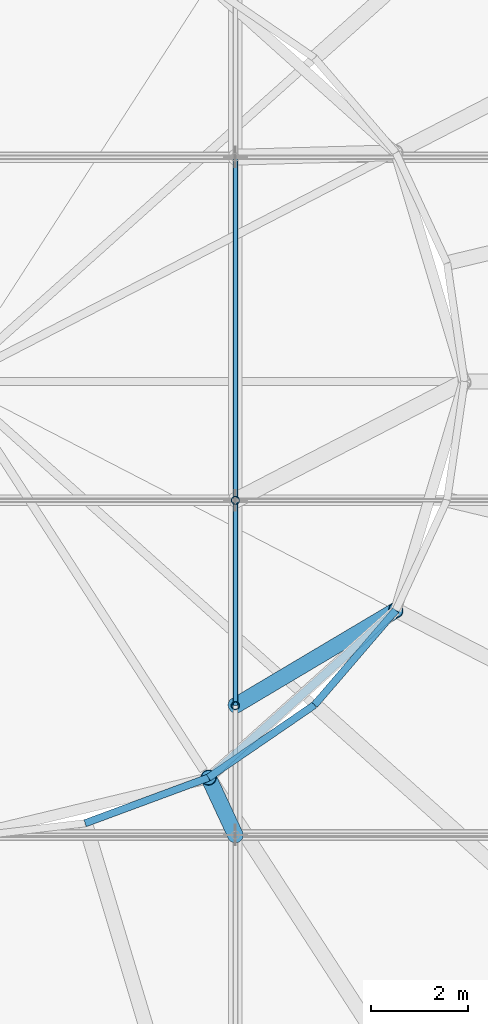
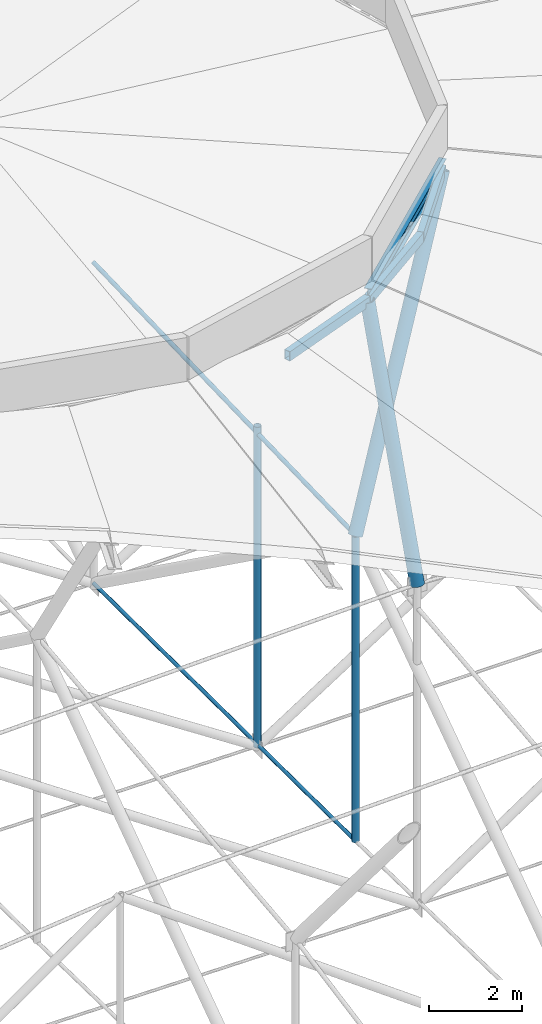
# One storey, part 56 of 173: 9 members, 1 beam.
"""IFC4 building model written with IfcOpenShell, lengths in metres."""

from ifc_helpers import new_model, si_unit, direction, frame, origin, origin_2d, place, context, subcontext, project, spatial, hollow_rectangle, circle, hollow_circle, i_section, extrude, material, material_profile, profile_set, type_object, element, save


model = new_model("IFC4")

# Units and contexts
model_context = context("Model", 3, precision=1e-05, world=origin(), true_north=direction((0.0, 1.0)))
body_context = subcontext(model_context, "Body", "Model", "MODEL_VIEW")
ifc_project = project(units=[si_unit("LENGTHUNIT", "METRE"), si_unit("AREAUNIT", "SQUARE_METRE"), si_unit("VOLUMEUNIT", "CUBIC_METRE"), si_unit("PLANEANGLEUNIT", "RADIAN"), si_unit("MASSUNIT", "GRAM", prefix="KILO")], contexts=[model_context])

# Site, building, storey
site_placement = place(None, origin())
site = spatial("IfcSite", under=ifc_project, at=site_placement, CompositionType="ELEMENT")
building_placement = place(site_placement, origin())
building = spatial("IfcBuilding", under=site, at=building_placement, Name="Glasvene Arena", CompositionType="ELEMENT")
storey_placement = place(building_placement, frame((0.0, 0.0, 28.800048828125)))
storey = spatial("IfcBuildingStorey", under=building, at=storey_placement, Name="RF", CompositionType="ELEMENT", Elevation=28.800048828125)

# Beam
ifc_material_1 = material(Name="Steel S355J2", Category="steel")
ifc_material_profile_1 = material_profile(ifc_material_1, i_section(OverallWidth=0.17138671875, OverallDepth=0.35498046875, WebThickness=0.00732421875, FlangeThickness=0.011474609375, FilletRadius=0.01025390625, at=origin_2d()), Name="UKB 356x171x51")
ifc_profile_set_1 = profile_set([ifc_material_profile_1], Name="Steel S355J2")
beam_type = type_object("IfcBeamType", Name="BM-JOIST-356", PredefinedType="JOIST", material=ifc_profile_set_1)
beam_placement = place(storey_placement, frame((91.449951171875, 60.259521484375, 13.079833984375), z_axis=(0.74507541556, 0.666980228438, 0.0), x_axis=(-0.666980228438, 0.74507541556, 0.0)))
element("IfcBeam", 1, at=beam_placement, inside=storey, type_object=beam_type, Name="Crown lantern perimeter ring beam 11", PredefinedType="JOIST", context=body_context, shape_type="SweptSolid", body=[
    extrude(i_section(OverallWidth=0.17138671875, OverallDepth=0.35498046875, WebThickness=0.00732421875, FlangeThickness=0.011474609375, FilletRadius=0.01025390625, at=origin_2d()), origin(), (0.0, 0.0, 1.0), 5.158203125),
])

# Members
ifc_material_2 = material(Name="High-strength steel spiral strand S460", Category="steel")
ifc_material_profile_2 = material_profile(ifc_material_2, circle(Radius=0.052490234375, at=origin_2d()), Name="LCSS D105")
ifc_profile_set_2 = profile_set([ifc_material_profile_2], Name="High-strength steel spiral strand S460")
member_type_1 = type_object("IfcMemberType", Name="MB-CABLE-105", PredefinedType="USERDEFINED", material=ifc_profile_set_2)
member_1_placement = place(storey_placement, frame((92.0, 61.75, 5.6904296875), z_axis=(0.0, 0.999571122619, 0.029284310233), x_axis=(-1.0, 0.0, 0.0)))
element("IfcMember", 2, at=member_1_placement, inside=storey, type_object=member_type_1, Name="Upper lens roof cable NS05-04", ObjectType="ROOF CABLE", PredefinedType="USERDEFINED", context=body_context, shape_type="SweptSolid", body=[
    extrude(circle(Radius=0.052490234375, at=origin_2d()), origin(), (0.0, 0.0, 1.0), 11.2548828125),
])
ifc_material_profile_3 = material_profile(ifc_material_2, circle(Radius=0.044921875, at=origin_2d()), Name="LCSS D90")
ifc_profile_set_3 = profile_set([ifc_material_profile_3], Name="High-strength steel spiral strand S460")
member_type_2 = type_object("IfcMemberType", Name="MB-CABLE-90", PredefinedType="USERDEFINED", material=ifc_profile_set_3)
member_2_placement = place(storey_placement, frame((92.0, 61.75, -2.328125), z_axis=(0.0, 0.999979508406, -0.006401778537), x_axis=(-1.0, 0.0, 0.0)))
element("IfcMember", 3, at=member_2_placement, inside=storey, type_object=member_type_2, Name="Lower stabilization roof cable NS05-04", ObjectType="ROOF CABLE", PredefinedType="USERDEFINED", context=body_context, shape_type="SweptSolid", body=[
    extrude(circle(Radius=0.044921875, at=origin_2d()), origin(), (0.0, 0.0, 1.0), 11.250244140625),
])
ifc_material_profile_4 = material_profile(ifc_material_1, hollow_circle(Radius=0.161865234375, WallThickness=0.01611328125, at=origin_2d()), Name="CHS 323.9x16.0")
ifc_profile_set_4 = profile_set([ifc_material_profile_4], Name="Steel S355J2")
member_type_3 = type_object("IfcMemberType", Name="MB-POST-CHS324", PredefinedType="BRACE", material=ifc_profile_set_4)
member_3_placement = place(storey_placement, frame((92.0, 59.09423828125, 6.02001953125), z_axis=(-0.077987132477, 0.167293302823, 0.982817866137), x_axis=(-0.906355541858, -0.422515836086, 0.0)))
element("IfcMember", 4, at=member_3_placement, inside=storey, type_object=member_type_3, Name="Petal ring 5 ridge support post 21", PredefinedType="BRACE", context=body_context, shape_type="SweptSolid", body=[
    extrude(hollow_circle(Radius=0.161865234375, WallThickness=0.01611328125, at=origin_2d()), origin(), (0.0, 0.0, 1.0), 7.052978515625),
])
member_4_placement = place(storey_placement, frame((92.0, 61.75, 5.6904296875), z_axis=(0.401104684961, 0.238539682909, 0.884428545096), x_axis=(-0.511146639861, 0.859493520952, 0.0)))
element("IfcMember", 5, at=member_4_placement, inside=storey, type_object=member_type_3, Name="Petal ring 5 ridge support post 23", PredefinedType="BRACE", context=body_context, shape_type="SweptSolid", body=[
    extrude(hollow_circle(Radius=0.161865234375, WallThickness=0.01611328125, at=origin_2d()), origin(), (0.0, 0.0, 1.0), 8.21044921875),
])
ifc_material_profile_5 = material_profile(ifc_material_1, hollow_rectangle(XDim=0.14990234375, YDim=0.25, WallThickness=0.010009765625, at=origin_2d()), Name="RHS 250x150x10.0")
ifc_profile_set_5 = profile_set([ifc_material_profile_5], Name="Steel S355J2")
member_type_4 = type_object("IfcMemberType", Name="MB-PURLIN-RHS250", PredefinedType="PURLIN", material=ifc_profile_set_5)
member_5_placement = place(storey_placement, frame((88.91748046875, 59.3369140625, 12.951904296875), z_axis=(0.937832709701, 0.347087609423, 0.0), x_axis=(-0.347087609423, 0.937832709701, 0.0)))
element("IfcMember", 6, at=member_5_placement, inside=storey, type_object=member_type_4, Name="Petal ring 5 ridge purlin 20", PredefinedType="PURLIN", context=body_context, shape_type="SweptSolid", body=[
    extrude(hollow_rectangle(XDim=0.14990234375, YDim=0.25, WallThickness=0.010009765625, at=origin_2d()), origin(), (0.0, 0.0, 1.0), 2.700439453125),
])
member_6_placement = place(storey_placement, frame((91.449951171875, 60.274169921875, 12.951904296875), z_axis=(0.824757231308, 0.56548696661, 0.0), x_axis=(-0.56548696661, 0.824757231308, 0.0)))
element("IfcMember", 7, at=member_6_placement, inside=storey, type_object=member_type_4, Name="Petal ring 5 ridge purlin 21", PredefinedType="PURLIN", context=body_context, shape_type="SweptSolid", body=[
    extrude(hollow_rectangle(XDim=0.14990234375, YDim=0.25, WallThickness=0.010009765625, at=origin_2d()), origin(), (0.0, 0.0, 1.0), 2.63671875),
])
member_7_placement = place(storey_placement, frame((93.62451171875, 61.76513671875, 12.951904296875), z_axis=(0.651458307, 0.758684436535, 0.0), x_axis=(-0.758684436535, 0.651458307, 0.0)))
element("IfcMember", 8, at=member_7_placement, inside=storey, type_object=member_type_4, Name="Petal ring 5 ridge purlin 22", PredefinedType="PURLIN", context=body_context, shape_type="SweptSolid", body=[
    extrude(hollow_rectangle(XDim=0.14990234375, YDim=0.25, WallThickness=0.010009765625, at=origin_2d()), origin(), (0.0, 0.0, 1.0), 2.5615234375),
])
ifc_material_profile_6 = material_profile(ifc_material_1, hollow_circle(Radius=0.084228515625, WallThickness=0.008056640625, at=origin_2d()), Name="CHS 168.3x8.0")
ifc_profile_set_6 = profile_set([ifc_material_profile_6], Name="Steel S355J2")
member_type_5 = type_object("IfcMemberType", Name="MB-WEB-CHS168", PredefinedType="BRACE", material=ifc_profile_set_6)
member_8_placement = place(storey_placement, frame((92.0, 61.75, -2.328125), z_axis=(0.0, 0.0, 1.0), x_axis=(1.0, 0.0, 0.0)))
element("IfcMember", 9, at=member_8_placement, inside=storey, type_object=member_type_5, Name="Cable-truss vertical strut NS05-03", PredefinedType="BRACE", context=body_context, shape_type="SweptSolid", body=[
    extrude(hollow_circle(Radius=0.084228515625, WallThickness=0.008056640625, at=origin_2d()), origin(), (0.0, 0.0, 1.0), 8.0185546875),
])
member_9_placement = place(storey_placement, frame((92.0, 65.96044921875, -2.400146484375), z_axis=(0.0, 0.0, 1.0), x_axis=(1.0, 0.0, 0.0)))
element("IfcMember", 10, at=member_9_placement, inside=storey, type_object=member_type_5, Name="Cable-truss vertical strut EW03-04", PredefinedType="BRACE", context=body_context, shape_type="SweptSolid", body=[
    extrude(hollow_circle(Radius=0.084228515625, WallThickness=0.008056640625, at=origin_2d()), origin(), (0.0, 0.0, 1.0), 8.420166015625),
])

save(model, "model.ifc")
